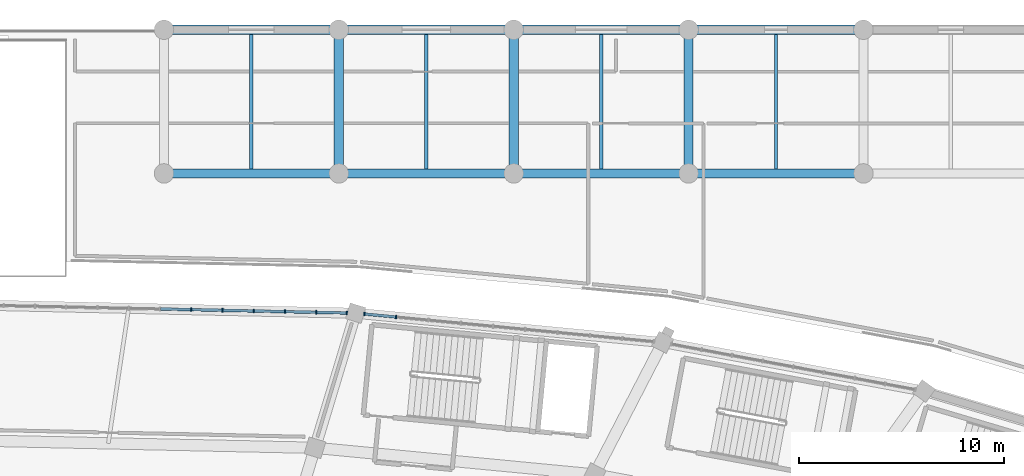
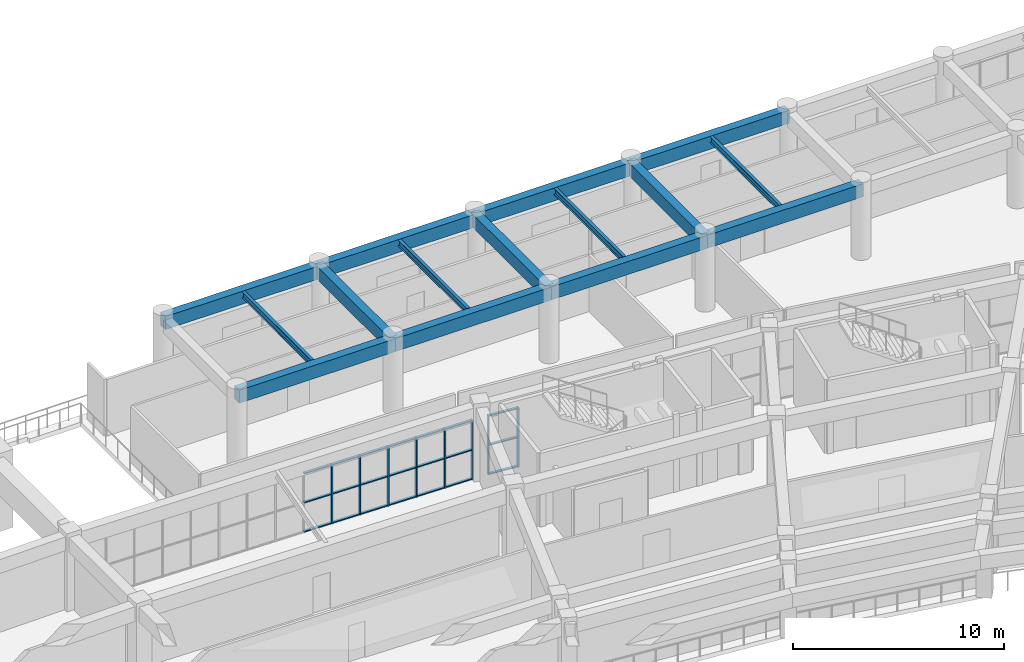
# One storey, part 73 of 145: 29 members, 15 beams, 2 elements without a shape of their own.
"""IFC4 building model written with IfcOpenShell, lengths in metres."""

from ifc_helpers import new_model, si_unit, direction, frame, origin, origin_2d, place, context, subcontext, project, spatial, rectangle, i_section, extrude, material, layer, layer_set, material_profile, profile_set, type_object, element, aggregate, save


model = new_model("IFC4")

# Units and contexts
model_context = context("Model", 3, precision=1e-05, world=origin(), true_north=direction((0.0, 1.0)))
body_context = subcontext(model_context, "Body", "Model", "MODEL_VIEW")
ifc_project = project(units=[si_unit("LENGTHUNIT", "METRE"), si_unit("AREAUNIT", "SQUARE_METRE"), si_unit("VOLUMEUNIT", "CUBIC_METRE"), si_unit("PLANEANGLEUNIT", "RADIAN"), si_unit("MASSUNIT", "GRAM", prefix="KILO")], contexts=[model_context])

# Site, building, storey
site_placement = place(None, origin())
site = spatial("IfcSite", under=ifc_project, at=site_placement, CompositionType="ELEMENT")
building_placement = place(site_placement, origin())
building = spatial("IfcBuilding", under=site, at=building_placement, Name="Mphavela Belvedere Stadium", CompositionType="ELEMENT")
storey_placement = place(building_placement, frame((0.0, 0.0, 10.199951171875)))
storey = spatial("IfcBuildingStorey", under=building, at=storey_placement, Name="L02", CompositionType="ELEMENT", Elevation=10.199951171875)

# Beams
ifc_material_1 = material(Name="Steel S355", Category="steel")
ifc_material_profile_1 = material_profile(ifc_material_1, i_section(OverallWidth=0.169921875, OverallDepth=0.360107421875, WebThickness=0.008056640625, FlangeThickness=0.0126953125, at=origin_2d()), Name="IPE 360")
ifc_profile_set_1 = profile_set([ifc_material_profile_1], Name="Steel S355")
beam_type_1 = type_object("IfcBeamType", Name="BM-JOIST-IPE360", PredefinedType="JOIST", material=ifc_profile_set_1)
for number, where, z_axis, x_axis, name in (
    (1, (132.037109375, 167.22509765625, 4.06005859375), (0.0, 1.0, 0.0), (-1.0, 0.0, 0.0), "North Mast and Ceremonial End Forecourt secondary joist L02 16-7"),
    (2, (140.555419921875, 167.22509765625, 4.06005859375), (0.0, 1.0, 0.0), (-1.0, 0.0, 0.0), "North Mast and Ceremonial End Forecourt secondary joist L02 17-7"),
    (3, (149.073974609375, 167.22509765625, 4.06005859375), (0.0, 1.0, 0.0), (-1.0, 0.0, 0.0), "North Mast and Ceremonial End Forecourt secondary joist L02 18-7"),
    (4, (157.592529296875, 167.22509765625, 4.06005859375), (0.0, 1.0, 0.0), (-1.0, 0.0, 0.0), "North Mast and Ceremonial End Forecourt secondary joist L02 19-7"),
):
    element("IfcBeam", number, at=place(storey_placement, frame(where, z_axis=z_axis, x_axis=x_axis)), inside=storey, type_object=beam_type_1, Name=name, PredefinedType="JOIST", context=body_context, shape_type="SweptSolid", body=[
        extrude(i_section(OverallWidth=0.169921875, OverallDepth=0.360107421875, WebThickness=0.008056640625, FlangeThickness=0.0126953125, at=origin_2d()), origin(), (0.0, 0.0, 1.0), 6.5498046875),
    ])
ifc_material_2 = material(Name="Concrete C40/50", Category="concrete")
ifc_material_profile_2 = material_profile(ifc_material_2, rectangle(XDim=0.449951171875, YDim=0.75, at=origin_2d()), Name="RC 450x750")
ifc_profile_set_2 = profile_set([ifc_material_profile_2], Name="Concrete C40/50")
beam_type_2 = type_object("IfcBeamType", Name="BM-RC450x750", PredefinedType="BEAM", material=ifc_profile_set_2)
for number, where, z_axis, x_axis, name in (
    (5, (127.778076171875, 167.0, 3.864990234375), (1.0, 0.0, 0.0), (0.0, 1.0, 0.0), "North Mast and Ceremonial End Forecourt entablature beam X L02 16-7"),
    (6, (127.778076171875, 174.0, 3.864990234375), (1.0, 0.0, 0.0), (0.0, 1.0, 0.0), "North Mast and Ceremonial End Forecourt entablature beam X L02 16-8"),
):
    element("IfcBeam", number, at=place(storey_placement, frame(where, z_axis=z_axis, x_axis=x_axis)), inside=storey, type_object=beam_type_2, Name=name, PredefinedType="BEAM", context=body_context, shape_type="SweptSolid", body=[
        extrude(rectangle(XDim=0.449951171875, YDim=0.75, at=origin_2d()), origin(), (0.0, 0.0, 1.0), 8.517822265625),
    ])
beam_1_placement = place(storey_placement, frame((136.2958984375, 167.0, 3.864990234375), z_axis=(1.0, 0.0, 0.0), x_axis=(0.0, 1.0, 0.0)))
element("IfcBeam", 7, at=beam_1_placement, inside=storey, type_object=beam_type_2, Name="North Mast and Ceremonial End Forecourt entablature beam X L02 17-7", PredefinedType="BEAM", context=body_context, shape_type="SweptSolid", body=[
    extrude(rectangle(XDim=0.449951171875, YDim=0.75, at=origin_2d()), origin(), (0.0, 0.0, 1.0), 8.51904296875),
])
beam_2_placement = place(storey_placement, frame((136.2958984375, 167.0, 3.864990234375), z_axis=(0.0, 1.0, 0.0), x_axis=(-1.0, 0.0, 0.0)))
element("IfcBeam", 8, at=beam_2_placement, inside=storey, type_object=beam_type_2, Name="North Mast and Ceremonial End Forecourt entablature beam Y L02 17-7", PredefinedType="BEAM", context=body_context, shape_type="SweptSolid", body=[
    extrude(rectangle(XDim=0.449951171875, YDim=0.75, at=origin_2d()), origin(), (0.0, 0.0, 1.0), 7.0),
])
beam_3_placement = place(storey_placement, frame((136.2958984375, 174.0, 3.864990234375), z_axis=(1.0, 0.0, 0.0), x_axis=(0.0, 1.0, 0.0)))
element("IfcBeam", 9, at=beam_3_placement, inside=storey, type_object=beam_type_2, Name="North Mast and Ceremonial End Forecourt entablature beam X L02 17-8", PredefinedType="BEAM", context=body_context, shape_type="SweptSolid", body=[
    extrude(rectangle(XDim=0.449951171875, YDim=0.75, at=origin_2d()), origin(), (0.0, 0.0, 1.0), 8.51904296875),
])
beam_4_placement = place(storey_placement, frame((144.81494140625, 167.0, 3.864990234375), z_axis=(1.0, 0.0, 0.0), x_axis=(0.0, 1.0, 0.0)))
element("IfcBeam", 10, at=beam_4_placement, inside=storey, type_object=beam_type_2, Name="North Mast and Ceremonial End Forecourt entablature beam X L02 18-7", PredefinedType="BEAM", context=body_context, shape_type="SweptSolid", body=[
    extrude(rectangle(XDim=0.449951171875, YDim=0.75, at=origin_2d()), origin(), (0.0, 0.0, 1.0), 8.51806640625),
])
beam_5_placement = place(storey_placement, frame((144.81494140625, 167.0, 3.864990234375), z_axis=(0.0, 1.0, 0.0), x_axis=(-1.0, 0.0, 0.0)))
element("IfcBeam", 11, at=beam_5_placement, inside=storey, type_object=beam_type_2, Name="North Mast and Ceremonial End Forecourt entablature beam Y L02 18-7", PredefinedType="BEAM", context=body_context, shape_type="SweptSolid", body=[
    extrude(rectangle(XDim=0.449951171875, YDim=0.75, at=origin_2d()), origin(), (0.0, 0.0, 1.0), 7.0),
])
beam_6_placement = place(storey_placement, frame((144.81494140625, 174.0, 3.864990234375), z_axis=(1.0, 0.0, 0.0), x_axis=(0.0, 1.0, 0.0)))
element("IfcBeam", 12, at=beam_6_placement, inside=storey, type_object=beam_type_2, Name="North Mast and Ceremonial End Forecourt entablature beam X L02 18-8", PredefinedType="BEAM", context=body_context, shape_type="SweptSolid", body=[
    extrude(rectangle(XDim=0.449951171875, YDim=0.75, at=origin_2d()), origin(), (0.0, 0.0, 1.0), 8.51806640625),
])
beam_7_placement = place(storey_placement, frame((153.3330078125, 167.0, 3.864990234375), z_axis=(1.0, 0.0, 0.0), x_axis=(0.0, 1.0, 0.0)))
element("IfcBeam", 13, at=beam_7_placement, inside=storey, type_object=beam_type_2, Name="North Mast and Ceremonial End Forecourt entablature beam X L02 19-7", PredefinedType="BEAM", context=body_context, shape_type="SweptSolid", body=[
    extrude(rectangle(XDim=0.449951171875, YDim=0.75, at=origin_2d()), origin(), (0.0, 0.0, 1.0), 8.51904296875),
])
beam_8_placement = place(storey_placement, frame((153.3330078125, 167.0, 3.864990234375), z_axis=(0.0, 1.0, 0.0), x_axis=(-1.0, 0.0, 0.0)))
element("IfcBeam", 14, at=beam_8_placement, inside=storey, type_object=beam_type_2, Name="North Mast and Ceremonial End Forecourt entablature beam Y L02 19-7", PredefinedType="BEAM", context=body_context, shape_type="SweptSolid", body=[
    extrude(rectangle(XDim=0.449951171875, YDim=0.75, at=origin_2d()), origin(), (0.0, 0.0, 1.0), 7.0),
])
beam_9_placement = place(storey_placement, frame((153.3330078125, 174.0, 3.864990234375), z_axis=(1.0, 0.0, 0.0), x_axis=(0.0, 1.0, 0.0)))
element("IfcBeam", 15, at=beam_9_placement, inside=storey, type_object=beam_type_2, Name="North Mast and Ceremonial End Forecourt entablature beam X L02 19-8", PredefinedType="BEAM", context=body_context, shape_type="SweptSolid", body=[
    extrude(rectangle(XDim=0.449951171875, YDim=0.75, at=origin_2d()), origin(), (0.0, 0.0, 1.0), 8.51904296875),
])

# Curtain wall, members
ifc_material_3 = material(Name="Anodised bronze unitised curtain wall framing")
ifc_layer_1 = layer(ifc_material_3, 0.205078125)
ifc_layer_set_1 = layer_set([ifc_layer_1], Name="Anodised bronze unitised curtain wall framing")
curtain_wall_type_1 = type_object("IfcCurtainWallType", Name="CW-UNIT-06", PredefinedType="USERDEFINED", material=ifc_layer_set_1)
curtain_wall_1_placement = place(storey_placement, origin())
curtain_wall_1 = element("IfcCurtainWall", 16, at=curtain_wall_1_placement, inside=storey, type_object=curtain_wall_type_1, Name="Belvedere colonnade curtain wall L02-11", ObjectType="UNITISED CURTAIN WALL", PredefinedType="USERDEFINED")
ifc_material_4 = material(Name="Anodised bronze extruded aluminium", Category="aluminium")
ifc_material_profile_3 = material_profile(ifc_material_4, rectangle(XDim=0.179931640625, YDim=0.06494140625, at=origin_2d()), Name="CW-MUL 180x65")
ifc_profile_set_3 = profile_set([ifc_material_profile_3], Name="Anodised bronze extruded aluminium")
member_type_1 = type_object("IfcMemberType", Name="CWM-180x65", PredefinedType="MULLION", material=ifc_profile_set_3)
member_1_placement = place(storey_placement, frame((139.084716796875, 160.005859375, 0.0), z_axis=(0.0, 0.0, 1.0), x_axis=(-0.094925825406, -0.99548434828, 0.0)))
member_1 = element("IfcMember", 17, at=member_1_placement, type_object=member_type_1, Name="CW-06 mullion 9", PredefinedType="MULLION", context=body_context, shape_type="SweptSolid", body=[
    extrude(rectangle(XDim=0.179931640625, YDim=0.06494140625, at=origin_2d()), origin(), (0.0, 0.0, 1.0), 3.420166015625),
])
member_2_placement = place(storey_placement, frame((137.543212890625, 160.15283203125, 0.0), z_axis=(0.0, 0.0, 1.0), x_axis=(-0.094925825406, -0.99548434828, 0.0)))
member_2 = element("IfcMember", 18, at=member_2_placement, type_object=member_type_1, Name="CW-06 mullion 10", PredefinedType="MULLION", context=body_context, shape_type="SweptSolid", body=[
    extrude(rectangle(XDim=0.179931640625, YDim=0.06494140625, at=origin_2d()), origin(), (0.0, 0.0, 1.0), 3.420166015625),
])

ifc_material_5 = material(Name="Anodised bronze unitised curtain wall framing")
ifc_layer_2 = layer(ifc_material_5, 0.179931640625)
ifc_layer_set_2 = layer_set([ifc_layer_2], Name="Anodised bronze unitised curtain wall framing")
curtain_wall_type_2 = type_object("IfcCurtainWallType", Name="CW-UNIT-01", PredefinedType="USERDEFINED", material=ifc_layer_set_2)
curtain_wall_2_placement = place(storey_placement, origin())
curtain_wall_2 = element("IfcCurtainWall", 19, at=curtain_wall_2_placement, inside=storey, type_object=curtain_wall_type_2, Name="Belvedere colonnade curtain wall L02-12", ObjectType="UNITISED CURTAIN WALL", PredefinedType="USERDEFINED")
member_3_placement = place(storey_placement, frame((136.684326171875, 160.203125, 0.0), z_axis=(0.0, 0.0, 1.0), x_axis=(-0.021525304021, -0.999768303802, 0.0)))
member_3 = element("IfcMember", 20, at=member_3_placement, type_object=member_type_1, Name="CW-01 mullion 1", PredefinedType="MULLION", context=body_context, shape_type="SweptSolid", body=[
    extrude(rectangle(XDim=0.179931640625, YDim=0.06494140625, at=origin_2d()), origin(), (0.0, 0.0, 1.0), 3.420166015625),
])
member_4_placement = place(storey_placement, frame((135.19384765625, 160.235107421875, 0.0), z_axis=(0.0, 0.0, 1.0), x_axis=(-0.021525304021, -0.999768303802, 0.0)))
member_4 = element("IfcMember", 21, at=member_4_placement, type_object=member_type_1, Name="CW-01 mullion 2", PredefinedType="MULLION", context=body_context, shape_type="SweptSolid", body=[
    extrude(rectangle(XDim=0.179931640625, YDim=0.06494140625, at=origin_2d()), origin(), (0.0, 0.0, 1.0), 3.420166015625),
])
member_5_placement = place(storey_placement, frame((133.671142578125, 160.26806640625, 0.0), z_axis=(0.0, 0.0, 1.0), x_axis=(-0.021525304021, -0.999768303802, 0.0)))
member_5 = element("IfcMember", 22, at=member_5_placement, type_object=member_type_1, Name="CW-01 mullion 3", PredefinedType="MULLION", context=body_context, shape_type="SweptSolid", body=[
    extrude(rectangle(XDim=0.179931640625, YDim=0.06494140625, at=origin_2d()), origin(), (0.0, 0.0, 1.0), 3.420166015625),
])
member_6_placement = place(storey_placement, frame((132.1484375, 160.30078125, 0.0), z_axis=(0.0, 0.0, 1.0), x_axis=(-0.021525304021, -0.999768303802, 0.0)))
member_6 = element("IfcMember", 23, at=member_6_placement, type_object=member_type_1, Name="CW-01 mullion 4", PredefinedType="MULLION", context=body_context, shape_type="SweptSolid", body=[
    extrude(rectangle(XDim=0.179931640625, YDim=0.06494140625, at=origin_2d()), origin(), (0.0, 0.0, 1.0), 3.420166015625),
])
member_7_placement = place(storey_placement, frame((130.625732421875, 160.33349609375, 0.0), z_axis=(0.0, 0.0, 1.0), x_axis=(-0.021525304021, -0.999768303802, 0.0)))
member_7 = element("IfcMember", 24, at=member_7_placement, type_object=member_type_1, Name="CW-01 mullion 5", PredefinedType="MULLION", context=body_context, shape_type="SweptSolid", body=[
    extrude(rectangle(XDim=0.179931640625, YDim=0.06494140625, at=origin_2d()), origin(), (0.0, 0.0, 1.0), 3.420166015625),
])
member_8_placement = place(storey_placement, frame((129.102783203125, 160.3662109375, 0.0), z_axis=(0.0, 0.0, 1.0), x_axis=(-0.021525304021, -0.999768303802, 0.0)))
member_8 = element("IfcMember", 25, at=member_8_placement, type_object=member_type_1, Name="CW-01 mullion 6", PredefinedType="MULLION", context=body_context, shape_type="SweptSolid", body=[
    extrude(rectangle(XDim=0.179931640625, YDim=0.06494140625, at=origin_2d()), origin(), (0.0, 0.0, 1.0), 3.420166015625),
])

# Member
ifc_material_6 = material(Name="Anodised bronze extruded aluminium", Category="aluminium")
ifc_material_profile_4 = material_profile(ifc_material_6, rectangle(XDim=0.139892578125, YDim=0.06005859375, at=origin_2d()), Name="CW-TRN 140x60")
ifc_profile_set_4 = profile_set([ifc_material_profile_4], Name="Anodised bronze extruded aluminium")
member_type_2 = type_object("IfcMemberType", Name="CWT-140x60", PredefinedType="USERDEFINED", material=ifc_profile_set_4)
member_9_placement = place(storey_placement, frame((139.052490234375, 160.009033203125, 0.030029296875), z_axis=(-0.995482892046, 0.094941095655, 0.0), x_axis=(-0.094941095655, -0.995482892046, 0.0)))
member_9 = element("IfcMember", 26, at=member_9_placement, type_object=member_type_2, Name="CW-06 transom 9.1", ObjectType="TRANSOM", PredefinedType="USERDEFINED", context=body_context, shape_type="SweptSolid", body=[
    extrude(rectangle(XDim=0.139892578125, YDim=0.06005859375, at=origin_2d()), origin(), (0.0, 0.0, 1.0), 1.483642578125),
])

member_10_placement = place(storey_placement, frame((139.052490234375, 160.009033203125, 1.7099609375), z_axis=(-0.995482892046, 0.094941095655, 0.0), x_axis=(-0.094941095655, -0.995482892046, 0.0)))
member_10 = element("IfcMember", 27, at=member_10_placement, type_object=member_type_2, Name="CW-06 transom 9.2", ObjectType="TRANSOM", PredefinedType="USERDEFINED", context=body_context, shape_type="SweptSolid", body=[
    extrude(rectangle(XDim=0.139892578125, YDim=0.06005859375, at=origin_2d()), origin(), (0.0, 0.0, 1.0), 1.483642578125),
])

member_11_placement = place(storey_placement, frame((139.052490234375, 160.009033203125, 3.39013671875), z_axis=(-0.995482892046, 0.094941095655, 0.0), x_axis=(-0.094941095655, -0.995482892046, 0.0)))
member_11 = element("IfcMember", 28, at=member_11_placement, type_object=member_type_2, Name="CW-06 transom 9.3", ObjectType="TRANSOM", PredefinedType="USERDEFINED", context=body_context, shape_type="SweptSolid", body=[
    extrude(rectangle(XDim=0.139892578125, YDim=0.06005859375, at=origin_2d()), origin(), (0.0, 0.0, 1.0), 1.483642578125),
])

aggregate(curtain_wall_1, [member_1, member_2, member_9, member_10, member_11])

member_12_placement = place(storey_placement, frame((136.651611328125, 160.203857421875, 0.030029296875), z_axis=(-0.999770853856, 0.021406535925, 0.0), x_axis=(-0.021406535925, -0.999770853856, 0.0)))
member_12 = element("IfcMember", 29, at=member_12_placement, type_object=member_type_2, Name="CW-01 transom 1.1", ObjectType="TRANSOM", PredefinedType="USERDEFINED", context=body_context, shape_type="SweptSolid", body=[
    extrude(rectangle(XDim=0.139892578125, YDim=0.06005859375, at=origin_2d()), origin(), (0.0, 0.0, 1.0), 1.425537109375),
])

member_13_placement = place(storey_placement, frame((136.651611328125, 160.203857421875, 1.7099609375), z_axis=(-0.999770853856, 0.021406535925, 0.0), x_axis=(-0.021406535925, -0.999770853856, 0.0)))
member_13 = element("IfcMember", 30, at=member_13_placement, type_object=member_type_2, Name="CW-01 transom 1.2", ObjectType="TRANSOM", PredefinedType="USERDEFINED", context=body_context, shape_type="SweptSolid", body=[
    extrude(rectangle(XDim=0.139892578125, YDim=0.06005859375, at=origin_2d()), origin(), (0.0, 0.0, 1.0), 1.425537109375),
])

member_14_placement = place(storey_placement, frame((136.651611328125, 160.203857421875, 3.39013671875), z_axis=(-0.999770853856, 0.021406535925, 0.0), x_axis=(-0.021406535925, -0.999770853856, 0.0)))
member_14 = element("IfcMember", 31, at=member_14_placement, type_object=member_type_2, Name="CW-01 transom 1.3", ObjectType="TRANSOM", PredefinedType="USERDEFINED", context=body_context, shape_type="SweptSolid", body=[
    extrude(rectangle(XDim=0.139892578125, YDim=0.06005859375, at=origin_2d()), origin(), (0.0, 0.0, 1.0), 1.425537109375),
])

member_15_placement = place(storey_placement, frame((135.161376953125, 160.23583984375, 0.030029296875), z_axis=(-0.999766706153, 0.021599381191, 0.0), x_axis=(-0.021599381191, -0.999766706153, 0.0)))
member_15 = element("IfcMember", 32, at=member_15_placement, type_object=member_type_2, Name="CW-01 transom 2.1", ObjectType="TRANSOM", PredefinedType="USERDEFINED", context=body_context, shape_type="SweptSolid", body=[
    extrude(rectangle(XDim=0.139892578125, YDim=0.06005859375, at=origin_2d()), origin(), (0.0, 0.0, 1.0), 1.4580078125),
])

member_16_placement = place(storey_placement, frame((135.161376953125, 160.23583984375, 1.7099609375), z_axis=(-0.999766706153, 0.021599381191, 0.0), x_axis=(-0.021599381191, -0.999766706153, 0.0)))
member_16 = element("IfcMember", 33, at=member_16_placement, type_object=member_type_2, Name="CW-01 transom 2.2", ObjectType="TRANSOM", PredefinedType="USERDEFINED", context=body_context, shape_type="SweptSolid", body=[
    extrude(rectangle(XDim=0.139892578125, YDim=0.06005859375, at=origin_2d()), origin(), (0.0, 0.0, 1.0), 1.4580078125),
])

member_17_placement = place(storey_placement, frame((135.161376953125, 160.23583984375, 3.39013671875), z_axis=(-0.999766706153, 0.021599381191, 0.0), x_axis=(-0.021599381191, -0.999766706153, 0.0)))
member_17 = element("IfcMember", 34, at=member_17_placement, type_object=member_type_2, Name="CW-01 transom 2.3", ObjectType="TRANSOM", PredefinedType="USERDEFINED", context=body_context, shape_type="SweptSolid", body=[
    extrude(rectangle(XDim=0.139892578125, YDim=0.06005859375, at=origin_2d()), origin(), (0.0, 0.0, 1.0), 1.4580078125),
])

member_18_placement = place(storey_placement, frame((133.638671875, 160.2685546875, 0.030029296875), z_axis=(-0.999766706153, 0.021599381191, 0.0), x_axis=(-0.021599381191, -0.999766706153, 0.0)))
member_18 = element("IfcMember", 35, at=member_18_placement, type_object=member_type_2, Name="CW-01 transom 3.1", ObjectType="TRANSOM", PredefinedType="USERDEFINED", context=body_context, shape_type="SweptSolid", body=[
    extrude(rectangle(XDim=0.139892578125, YDim=0.06005859375, at=origin_2d()), origin(), (0.0, 0.0, 1.0), 1.4580078125),
])

member_19_placement = place(storey_placement, frame((133.638671875, 160.2685546875, 1.7099609375), z_axis=(-0.999766706153, 0.021599381191, 0.0), x_axis=(-0.021599381191, -0.999766706153, 0.0)))
member_19 = element("IfcMember", 36, at=member_19_placement, type_object=member_type_2, Name="CW-01 transom 3.2", ObjectType="TRANSOM", PredefinedType="USERDEFINED", context=body_context, shape_type="SweptSolid", body=[
    extrude(rectangle(XDim=0.139892578125, YDim=0.06005859375, at=origin_2d()), origin(), (0.0, 0.0, 1.0), 1.4580078125),
])

member_20_placement = place(storey_placement, frame((133.638671875, 160.2685546875, 3.39013671875), z_axis=(-0.999766706153, 0.021599381191, 0.0), x_axis=(-0.021599381191, -0.999766706153, 0.0)))
member_20 = element("IfcMember", 37, at=member_20_placement, type_object=member_type_2, Name="CW-01 transom 3.3", ObjectType="TRANSOM", PredefinedType="USERDEFINED", context=body_context, shape_type="SweptSolid", body=[
    extrude(rectangle(XDim=0.139892578125, YDim=0.06005859375, at=origin_2d()), origin(), (0.0, 0.0, 1.0), 1.4580078125),
])

member_21_placement = place(storey_placement, frame((132.115966796875, 160.301513671875, 0.030029296875), z_axis=(-0.999770307851, 0.021432021337, 0.0), x_axis=(-0.021432021337, -0.999770307851, 0.0)))
member_21 = element("IfcMember", 38, at=member_21_placement, type_object=member_type_2, Name="CW-01 transom 4.1", ObjectType="TRANSOM", PredefinedType="USERDEFINED", context=body_context, shape_type="SweptSolid", body=[
    extrude(rectangle(XDim=0.139892578125, YDim=0.06005859375, at=origin_2d()), origin(), (0.0, 0.0, 1.0), 1.4580078125),
])

member_22_placement = place(storey_placement, frame((132.115966796875, 160.301513671875, 1.7099609375), z_axis=(-0.999770307851, 0.021432021337, 0.0), x_axis=(-0.021432021337, -0.999770307851, 0.0)))
member_22 = element("IfcMember", 39, at=member_22_placement, type_object=member_type_2, Name="CW-01 transom 4.2", ObjectType="TRANSOM", PredefinedType="USERDEFINED", context=body_context, shape_type="SweptSolid", body=[
    extrude(rectangle(XDim=0.139892578125, YDim=0.06005859375, at=origin_2d()), origin(), (0.0, 0.0, 1.0), 1.4580078125),
])

member_23_placement = place(storey_placement, frame((132.115966796875, 160.301513671875, 3.39013671875), z_axis=(-0.999770307851, 0.021432021337, 0.0), x_axis=(-0.021432021337, -0.999770307851, 0.0)))
member_23 = element("IfcMember", 40, at=member_23_placement, type_object=member_type_2, Name="CW-01 transom 4.3", ObjectType="TRANSOM", PredefinedType="USERDEFINED", context=body_context, shape_type="SweptSolid", body=[
    extrude(rectangle(XDim=0.139892578125, YDim=0.06005859375, at=origin_2d()), origin(), (0.0, 0.0, 1.0), 1.4580078125),
])

member_24_placement = place(storey_placement, frame((130.593017578125, 160.334228515625, 0.030029296875), z_axis=(-0.999766706153, 0.021599381191, 0.0), x_axis=(-0.021599381191, -0.999766706153, 0.0)))
member_24 = element("IfcMember", 41, at=member_24_placement, type_object=member_type_2, Name="CW-01 transom 5.1", ObjectType="TRANSOM", PredefinedType="USERDEFINED", context=body_context, shape_type="SweptSolid", body=[
    extrude(rectangle(XDim=0.139892578125, YDim=0.06005859375, at=origin_2d()), origin(), (0.0, 0.0, 1.0), 1.4580078125),
])

member_25_placement = place(storey_placement, frame((130.593017578125, 160.334228515625, 1.7099609375), z_axis=(-0.999766706153, 0.021599381191, 0.0), x_axis=(-0.021599381191, -0.999766706153, 0.0)))
member_25 = element("IfcMember", 42, at=member_25_placement, type_object=member_type_2, Name="CW-01 transom 5.2", ObjectType="TRANSOM", PredefinedType="USERDEFINED", context=body_context, shape_type="SweptSolid", body=[
    extrude(rectangle(XDim=0.139892578125, YDim=0.06005859375, at=origin_2d()), origin(), (0.0, 0.0, 1.0), 1.4580078125),
])

member_26_placement = place(storey_placement, frame((130.593017578125, 160.334228515625, 3.39013671875), z_axis=(-0.999766706153, 0.021599381191, 0.0), x_axis=(-0.021599381191, -0.999766706153, 0.0)))
member_26 = element("IfcMember", 43, at=member_26_placement, type_object=member_type_2, Name="CW-01 transom 5.3", ObjectType="TRANSOM", PredefinedType="USERDEFINED", context=body_context, shape_type="SweptSolid", body=[
    extrude(rectangle(XDim=0.139892578125, YDim=0.06005859375, at=origin_2d()), origin(), (0.0, 0.0, 1.0), 1.4580078125),
])

member_27_placement = place(storey_placement, frame((129.0703125, 160.366943359375, 0.030029296875), z_axis=(-0.999766706153, 0.021599381191, 0.0), x_axis=(-0.021599381191, -0.999766706153, 0.0)))
member_27 = element("IfcMember", 44, at=member_27_placement, type_object=member_type_2, Name="CW-01 transom 6.1", ObjectType="TRANSOM", PredefinedType="USERDEFINED", context=body_context, shape_type="SweptSolid", body=[
    extrude(rectangle(XDim=0.139892578125, YDim=0.06005859375, at=origin_2d()), origin(), (0.0, 0.0, 1.0), 1.4580078125),
])

member_28_placement = place(storey_placement, frame((129.0703125, 160.366943359375, 1.7099609375), z_axis=(-0.999766706153, 0.021599381191, 0.0), x_axis=(-0.021599381191, -0.999766706153, 0.0)))
member_28 = element("IfcMember", 45, at=member_28_placement, type_object=member_type_2, Name="CW-01 transom 6.2", ObjectType="TRANSOM", PredefinedType="USERDEFINED", context=body_context, shape_type="SweptSolid", body=[
    extrude(rectangle(XDim=0.139892578125, YDim=0.06005859375, at=origin_2d()), origin(), (0.0, 0.0, 1.0), 1.4580078125),
])

member_29_placement = place(storey_placement, frame((129.0703125, 160.366943359375, 3.39013671875), z_axis=(-0.999766706153, 0.021599381191, 0.0), x_axis=(-0.021599381191, -0.999766706153, 0.0)))
member_29 = element("IfcMember", 46, at=member_29_placement, type_object=member_type_2, Name="CW-01 transom 6.3", ObjectType="TRANSOM", PredefinedType="USERDEFINED", context=body_context, shape_type="SweptSolid", body=[
    extrude(rectangle(XDim=0.139892578125, YDim=0.06005859375, at=origin_2d()), origin(), (0.0, 0.0, 1.0), 1.4580078125),
])

aggregate(curtain_wall_2, [member_3, member_4, member_5, member_6, member_7, member_8, member_12, member_13, member_14, member_15, member_16, member_17, member_18, member_19, member_20, member_21, member_22, member_23, member_24, member_25, member_26, member_27, member_28, member_29])

save(model, "model.ifc")
